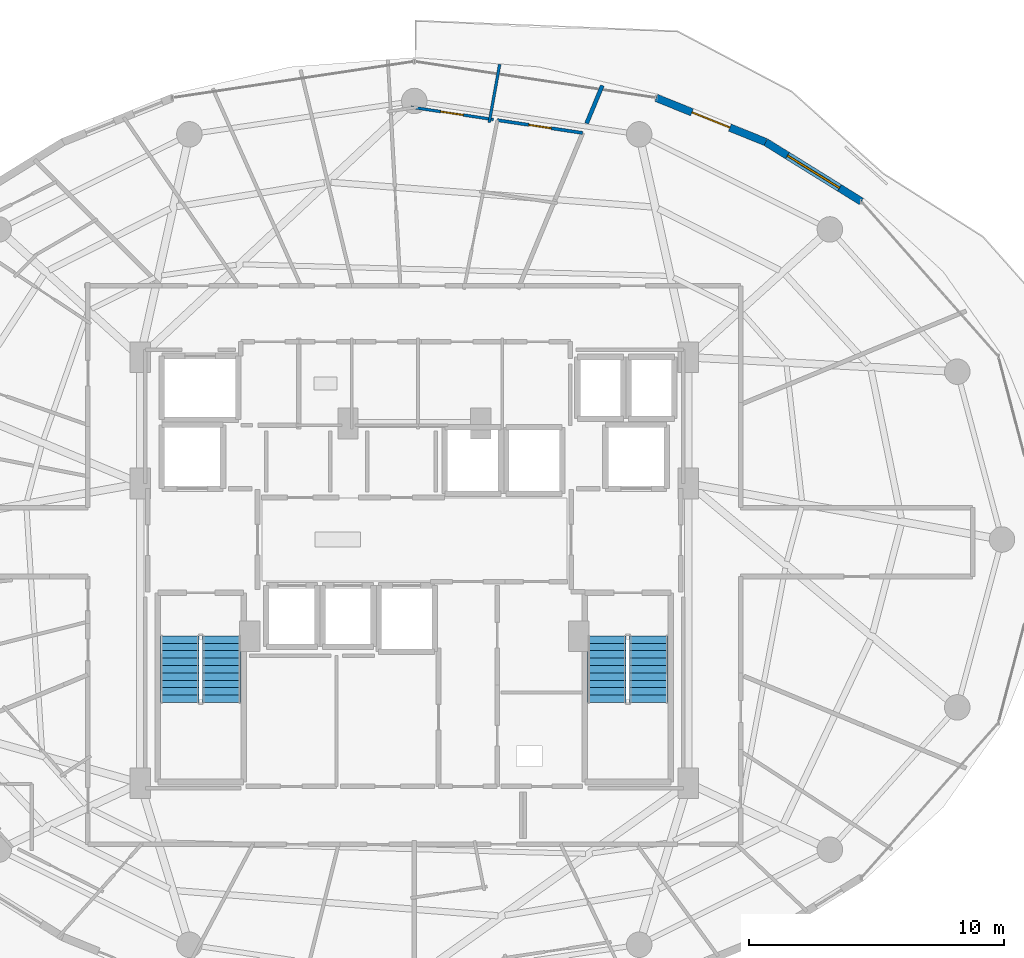
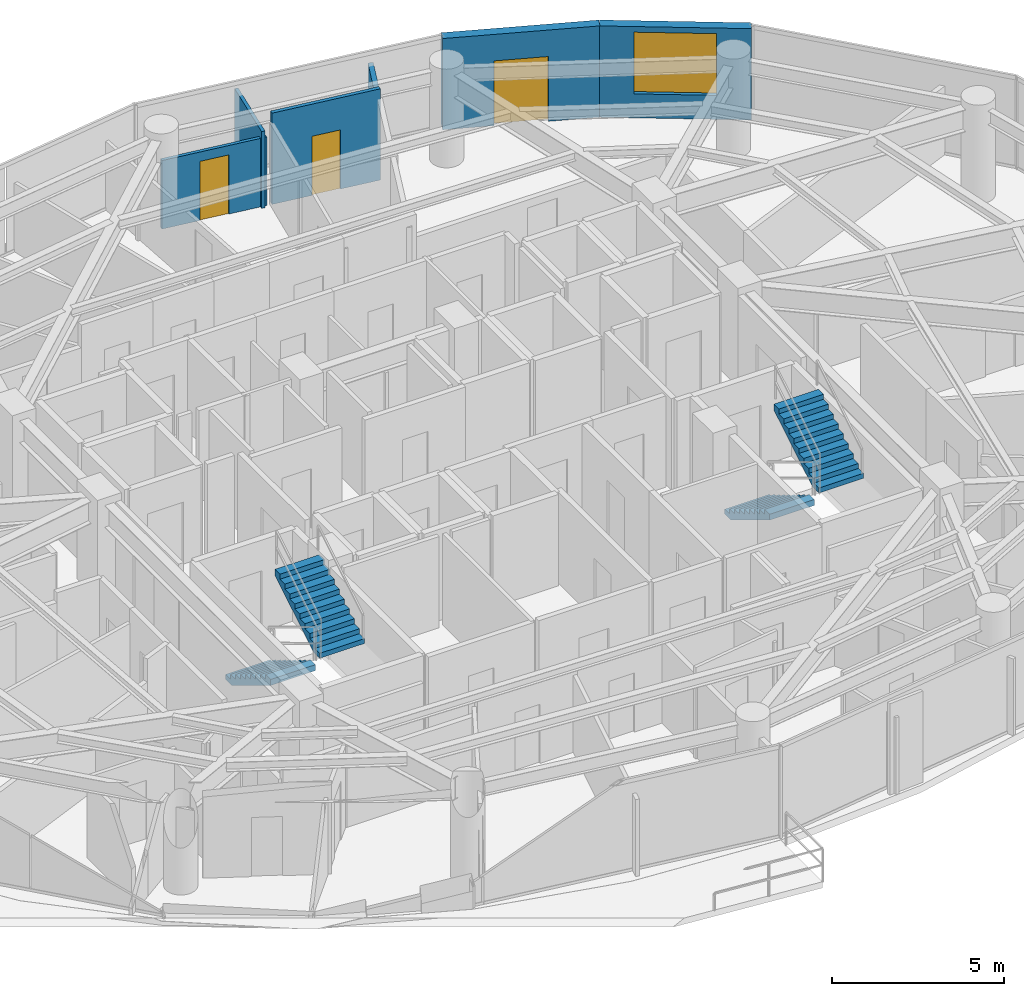
# One storey, part 25 of 28: 6 walls, 4 stair flights, 3 doors, 1 window, 4 openings, 2 elements without a shape of their own.
"""IFC4 building model written with IfcOpenShell, lengths in metres."""

from ifc_helpers import new_model, si_unit, direction, frame, frame_2d, origin, place, context, subcontext, project, spatial, polyline, rectangle, outline, extrude, material, layer, layer_set, type_object, element, fill, aggregate, save


model = new_model("IFC4")

# Units and contexts
model_context = context("Model", 3, precision=1e-05, world=origin(), true_north=direction((0.0, 1.0)))
body_context = subcontext(model_context, "Body", "Model", "MODEL_VIEW")
ifc_project = project(units=[si_unit("LENGTHUNIT", "METRE"), si_unit("AREAUNIT", "SQUARE_METRE"), si_unit("VOLUMEUNIT", "CUBIC_METRE"), si_unit("PLANEANGLEUNIT", "RADIAN"), si_unit("MASSUNIT", "GRAM", prefix="KILO")], contexts=[model_context])

# Site, building, storey
site_placement = place(None, origin())
site = spatial("IfcSite", under=ifc_project, at=site_placement, CompositionType="ELEMENT")
building_placement = place(site_placement, origin())
building = spatial("IfcBuilding", under=site, at=building_placement, Name="Vorneva Point Tower", CompositionType="ELEMENT")
storey_placement = place(building_placement, frame((0.0, 0.0, 160.60009765625)))
storey = spatial("IfcBuildingStorey", under=building, at=storey_placement, Name="L43", CompositionType="ELEMENT", Elevation=160.60009765625)

# Wall, opening, window
ifc_material_1 = material(Name="Precast concrete B50 (C40/50)", Category="concrete")
ifc_layer_1 = layer(ifc_material_1, 0.300048828125)
ifc_layer_set_1 = layer_set([ifc_layer_1], Name="Precast concrete B50 (C40/50)")
wall_type_1 = type_object("IfcWallType", Name="WL-EXT-300", PredefinedType="STANDARD", material=ifc_layer_set_1)
wall_1_placement = place(storey_placement, frame((55.5361328125, 39.25830078125, 0.0), z_axis=(0.0, 0.0, 1.0), x_axis=(-0.849721181976, 0.527232313977, 0.0)))
wall_1 = element("IfcWall", 1, at=wall_1_placement, inside=storey, type_object=wall_type_1, Name="L43 Pale-Metal Facade Spandrel Wall 03.1", PredefinedType="STANDARD", context=body_context, shape_type="SweptSolid", body=[
    extrude(rectangle(XDim=4.422607421875, YDim=0.300048828125, at=frame_2d((2.21142578125, 0.0))), origin(), (0.0, 0.0, 1.0), 3.239990234375),
])
opening_1_placement = place(wall_1_placement, frame((1.011474609375, 0.0, 0.85009765625)))
opening_1 = element("IfcOpeningElement", 2, at=opening_1_placement, cuts=wall_1, Name="Opening W-03", PredefinedType="OPENING", context=body_context, shape_type="SweptSolid", body=[
    extrude(rectangle(XDim=2.39990234375, YDim=2.18994140625, at=frame_2d((1.199951171875, 1.094970703125))), frame((0.0, 0.1650390625, 0.0), z_axis=(0.0, -1.0, 0.0), x_axis=(1.0, 0.0, 0.0)), (0.0, 0.0, 1.0), 0.329833984375),
])
ifc_material_2 = material(Name="Double low-e laminated glass IGU", Category="glass")
window_type = type_object("IfcWindowType", Name="WN-RES-2400", PartitioningType="SINGLE_PANEL", PredefinedType="WINDOW", material=ifc_material_2)
window_placement = place(opening_1_placement, origin())
window = element("IfcWindow", 3, at=window_placement, inside=storey, type_object=window_type, Name="L43 Facade Window 03", OverallHeight=2.18994140625, OverallWidth=2.39990234375, PartitioningType="SINGLE_PANEL", PredefinedType="WINDOW", context=body_context, shape_type="SweptSolid", body=[
    extrude(rectangle(XDim=2.39990234375, YDim=2.18994140625, at=frame_2d((1.199951171875, 1.094970703125))), frame((0.0, 0.030029296875, 0.0), z_axis=(0.0, -1.0, 0.0), x_axis=(1.0, 0.0, 0.0)), (0.0, 0.0, 1.0), 0.06005859375),
])
fill(opening_1, window)

# Wall, opening, door
wall_2_placement = place(storey_placement, frame((51.778076171875, 41.590087890625, 0.0), z_axis=(0.0, 0.0, 1.0), x_axis=(-0.927156504392, 0.374674280359, 0.0)))
wall_2 = element("IfcWall", 4, at=wall_2_placement, inside=storey, type_object=wall_type_1, Name="L43 Pale-Metal Facade Spandrel Wall 03.2", PredefinedType="STANDARD", context=body_context, shape_type="SweptSolid", body=[
    extrude(rectangle(XDim=4.62451171875, YDim=0.300048828125, at=frame_2d((2.312255859375, 0.0))), origin(), (0.0, 0.0, 1.0), 3.239990234375),
])
opening_2_placement = place(wall_2_placement, frame((1.51220703125, 0.0, 0.0)))
opening_2 = element("IfcOpeningElement", 5, at=opening_2_placement, cuts=wall_2, Name="Opening BD-01", PredefinedType="OPENING", context=body_context, shape_type="SweptSolid", body=[
    extrude(rectangle(XDim=1.60009765625, YDim=2.300048828125, at=frame_2d((0.800048828125, 1.14990234375))), frame((0.0, 0.1650390625, 0.0), z_axis=(0.0, -1.0, 0.0), x_axis=(1.0, 0.0, 0.0)), (0.0, 0.0, 1.0), 0.329833984375),
])
ifc_material_3 = material(Name="Pale anodised aluminium", Category="aluminium")
door_type_1 = type_object("IfcDoorType", Name="DR-BAL-1600", OperationType="SLIDING_TO_LEFT", PredefinedType="DOOR", material=ifc_material_3)
door_1_placement = place(opening_2_placement, origin())
door_1 = element("IfcDoor", 6, at=door_1_placement, inside=storey, type_object=door_type_1, Name="L43 Balcony Terrace Access Door 03", OperationType="SLIDING_TO_LEFT", OverallHeight=2.300048828125, OverallWidth=1.60009765625, PredefinedType="DOOR", context=body_context, shape_type="SweptSolid", body=[
    extrude(rectangle(XDim=1.60009765625, YDim=2.300048828125, at=frame_2d((0.800048828125, 1.14990234375))), frame((0.0, 0.02490234375, 0.0), z_axis=(0.0, -1.0, 0.0), x_axis=(1.0, 0.0, 0.0)), (0.0, 0.0, 1.0), 0.050048828125),
])
fill(opening_2, door_1)

# Wall
ifc_material_4 = material(Name="Fire-rated acoustic gypsum stud partition", Category="gypsum")
ifc_layer_2 = layer(ifc_material_4, 0.110107421875)
ifc_layer_set_2 = layer_set([ifc_layer_2], Name="Fire-rated acoustic gypsum stud partition")
wall_type_2 = type_object("IfcWallType", Name="WL-PART-110", PredefinedType="PARTITIONING", material=ifc_layer_set_2)
wall_3_placement = place(storey_placement, frame((41.349853515625, 44.639892578125, 0.0), z_axis=(0.0, 0.0, 1.0), x_axis=(-0.176977699102, -0.984214861715, 0.0)))
element("IfcWall", 7, at=wall_3_placement, inside=storey, type_object=wall_type_2, Name="L43 Interior Partition 071", PredefinedType="PARTITIONING", context=body_context, shape_type="SweptSolid", body=[
    extrude(rectangle(XDim=2.3203125, YDim=0.110107421875, at=frame_2d((1.16015625, 0.0))), origin(), (0.0, 0.0, 1.0), 2.727783203125),
])

# Wall, opening, door
wall_4_placement = place(storey_placement, frame((41.102294921875, 42.47314453125, 0.0), z_axis=(0.0, 0.0, 1.0), x_axis=(-0.98887178047, 0.148770298749, 0.0)))
wall_4 = element("IfcWall", 8, at=wall_4_placement, inside=storey, type_object=wall_type_2, Name="L43 Interior Partition 072", PredefinedType="PARTITIONING", context=body_context, shape_type="SweptSolid", body=[
    extrude(rectangle(XDim=3.277099609375, YDim=0.110107421875, at=frame_2d((1.638671875, 0.0))), origin(), (0.0, 0.0, 1.0), 2.431884765625),
])
opening_3_placement = place(wall_4_placement, frame((1.188720703125, 0.0, 0.0)))
opening_3 = element("IfcOpeningElement", 9, at=opening_3_placement, cuts=wall_4, Name="Opening ID-01", PredefinedType="OPENING", context=body_context, shape_type="SweptSolid", body=[
    extrude(rectangle(XDim=0.89990234375, YDim=2.10009765625, at=frame_2d((0.449951171875, 1.050048828125))), frame((0.0, 0.06982421875, 0.0), z_axis=(0.0, -1.0, 0.0), x_axis=(1.0, 0.0, 0.0)), (0.0, 0.0, 1.0), 0.139892578125),
])
ifc_material_5 = material(Name="Engineered oak fire-rated door leaf", Category="wood")
door_type_2 = type_object("IfcDoorType", Name="DR-ROOM-900", OperationType="NOTDEFINED", PredefinedType="DOOR", material=ifc_material_5)
door_2_placement = place(opening_3_placement, origin())
door_2 = element("IfcDoor", 10, at=door_2_placement, inside=storey, type_object=door_type_2, Name="L43 Door Living and Dining Room L43-01 / Kitchen L43-01", OperationType="SINGLE_SWING_LEFT", OverallHeight=2.10009765625, OverallWidth=0.89990234375, PredefinedType="DOOR", context=body_context, shape_type="SweptSolid", body=[
    extrude(rectangle(XDim=0.89990234375, YDim=2.10009765625, at=frame_2d((0.449951171875, 1.050048828125))), frame((0.0, 0.02490234375, 0.0), z_axis=(0.0, -1.0, 0.0), x_axis=(1.0, 0.0, 0.0)), (0.0, 0.0, 1.0), 0.050048828125),
])
fill(opening_3, door_2)

ifc_layer_3 = layer(ifc_material_4, 0.125)
ifc_layer_set_3 = layer_set([ifc_layer_3], Name="Fire-rated acoustic gypsum stud partition")
wall_type_3 = type_object("IfcWallType", Name="WL-PART-125", PredefinedType="PARTITIONING", material=ifc_layer_set_3)
wall_5_placement = place(storey_placement, frame((41.260986328125, 42.448974609375, 0.0), z_axis=(0.0, 0.0, 1.0), x_axis=(0.988878555922, -0.148725255545, 0.0)))
wall_5 = element("IfcWall", 11, at=wall_5_placement, inside=storey, type_object=wall_type_3, Name="L43 Interior Partition 074", PredefinedType="PARTITIONING", context=body_context, shape_type="SweptSolid", body=[
    extrude(rectangle(XDim=3.381591796875, YDim=0.125, at=frame_2d((1.69091796875, 0.0))), origin(), (0.0, 0.0, 1.0), 3.239990234375),
])
opening_4_placement = place(wall_5_placement, frame((1.24072265625, 0.0, 0.0)))
opening_4 = element("IfcOpeningElement", 12, at=opening_4_placement, cuts=wall_5, Name="Opening ID-01", PredefinedType="OPENING", context=body_context, shape_type="SweptSolid", body=[
    extrude(rectangle(XDim=0.89990234375, YDim=2.10009765625, at=frame_2d((0.449951171875, 1.050048828125))), frame((0.0, 0.077392578125, 0.0), z_axis=(0.0, -1.0, 0.0), x_axis=(1.0, 0.0, 0.0)), (0.0, 0.0, 1.0), 0.15478515625),
])
door_3_placement = place(opening_4_placement, origin())
door_3 = element("IfcDoor", 13, at=door_3_placement, inside=storey, type_object=door_type_2, Name="L43 Door Living and Dining Room L43-01 / Study Room L43-01", OperationType="SINGLE_SWING_LEFT", OverallHeight=2.10009765625, OverallWidth=0.89990234375, PredefinedType="DOOR", context=body_context, shape_type="SweptSolid", body=[
    extrude(rectangle(XDim=0.89990234375, YDim=2.10009765625, at=frame_2d((0.449951171875, 1.050048828125))), frame((0.0, 0.02490234375, 0.0), z_axis=(0.0, -1.0, 0.0), x_axis=(1.0, 0.0, 0.0)), (0.0, 0.0, 1.0), 0.050048828125),
])
fill(opening_4, door_3)

# Wall
ifc_layer_4 = layer(ifc_material_4, 0.159912109375)
ifc_layer_set_4 = layer_set([ifc_layer_4], Name="Fire-rated acoustic gypsum stud partition")
wall_type_4 = type_object("IfcWallType", Name="WL-PART-160", PredefinedType="PARTITIONING", material=ifc_layer_set_4)
wall_6_placement = place(storey_placement, frame((44.760009765625, 42.321044921875, 0.0), z_axis=(0.0, 0.0, 1.0), x_axis=(0.382955001099, 0.923766998292, 0.0)))
element("IfcWall", 14, at=wall_6_placement, inside=storey, type_object=wall_type_4, Name="L43 Interior Partition 077", PredefinedType="PARTITIONING", context=body_context, shape_type="SweptSolid", body=[
    extrude(rectangle(XDim=1.6083984375, YDim=0.159912109375, at=frame_2d((0.80419921875, 0.0))), origin(), (0.0, 0.0, 1.0), 2.727783203125),
])

# Stair, stair flights
ifc_material_6 = material(Name="Concrete B50 (C40/50)", Category="concrete")
stair_type = type_object("IfcStairType", Name="ST-DOG-1500", PredefinedType="HALF_TURN_STAIR", material=ifc_material_6)
stair_1_placement = place(storey_placement, origin())
stair_1 = element("IfcStair", 15, at=stair_1_placement, inside=storey, type_object=stair_type, Name="L43 ST1", PredefinedType="HALF_TURN_STAIR")
stair_flight_type = type_object("IfcStairFlightType", Name="STF-1500", PredefinedType="STRAIGHT", material=ifc_material_6)
stair_flight_1_placement = place(storey_placement, frame((28.800048828125, 22.219970703125, 0.0), z_axis=(0.0, 0.0, 1.0), x_axis=(0.0, -1.0, 0.0)))
stair_flight_1 = element("IfcStairFlight", 16, at=stair_flight_1_placement, type_object=stair_flight_type, Name="ST1 flight 1", NumberOfRisers=10, NumberOfTreads=9, PredefinedType="STRAIGHT", RiserHeight=0.175, TreadLength=0.29, context=body_context, shape_type="SweptSolid", body=[
    extrude(outline(polyline([(0.0, 0.0), (0.0, 0.175048828125), (0.2900390625, 0.175048828125), (0.2900390625, 0.35009765625), (0.580078125, 0.35009765625), (0.580078125, 0.52490234375), (0.8701171875, 0.52490234375), (0.8701171875, 0.699951171875), (1.159912109375, 0.699951171875), (1.159912109375, 0.875), (1.449951171875, 0.875), (1.449951171875, 1.050048828125), (1.739990234375, 1.050048828125), (1.739990234375, 1.22509765625), (2.030029296875, 1.22509765625), (2.030029296875, 1.39990234375), (2.320068359375, 1.39990234375), (2.320068359375, 1.574951171875), (2.610107421875, 1.574951171875), (2.610107421875, 1.75), (2.610107421875, 1.36474609375), (0.34814453125, 0.0), (0.0, 0.0)])), frame((0.0, 0.75, 0.0), z_axis=(0.0, -1.0, 0.0), x_axis=(1.0, 0.0, 0.0)), (0.0, 0.0, 1.0), 1.5),
])
stair_flight_2_placement = place(storey_placement, frame((30.449951171875, 19.610107421875, 1.75), z_axis=(0.0, 0.0, 1.0), x_axis=(0.0, 1.0, 0.0)))
stair_flight_2 = element("IfcStairFlight", 17, at=stair_flight_2_placement, type_object=stair_flight_type, Name="ST1 flight 2", NumberOfRisers=10, NumberOfTreads=9, PredefinedType="STRAIGHT", RiserHeight=0.175, TreadLength=0.29, context=body_context, shape_type="SweptSolid", body=[
    extrude(outline(polyline([(0.0, 0.0), (0.0, 0.175048828125), (0.2900390625, 0.175048828125), (0.2900390625, 0.35009765625), (0.580078125, 0.35009765625), (0.580078125, 0.52490234375), (0.8701171875, 0.52490234375), (0.8701171875, 0.699951171875), (1.159912109375, 0.699951171875), (1.159912109375, 0.875), (1.449951171875, 0.875), (1.449951171875, 1.050048828125), (1.739990234375, 1.050048828125), (1.739990234375, 1.22509765625), (2.030029296875, 1.22509765625), (2.030029296875, 1.39990234375), (2.320068359375, 1.39990234375), (2.320068359375, 1.574951171875), (2.610107421875, 1.574951171875), (2.610107421875, 1.75), (2.610107421875, 1.36474609375), (0.34814453125, 0.0), (0.0, 0.0)])), frame((0.0, 0.75, 0.0), z_axis=(0.0, -1.0, 0.0), x_axis=(1.0, 0.0, 0.0)), (0.0, 0.0, 1.0), 1.5),
])
aggregate(stair_1, [stair_flight_1, stair_flight_2])

stair_2_placement = place(storey_placement, origin())
stair_2 = element("IfcStair", 18, at=stair_2_placement, inside=storey, type_object=stair_type, Name="L43 ST2", PredefinedType="HALF_TURN_STAIR")
stair_flight_3_placement = place(storey_placement, frame((45.550048828125, 22.219970703125, 0.0), z_axis=(0.0, 0.0, 1.0), x_axis=(0.0, -1.0, 0.0)))
stair_flight_3 = element("IfcStairFlight", 19, at=stair_flight_3_placement, type_object=stair_flight_type, Name="ST2 flight 1", NumberOfRisers=10, NumberOfTreads=9, PredefinedType="STRAIGHT", RiserHeight=0.175, TreadLength=0.29, context=body_context, shape_type="SweptSolid", body=[
    extrude(outline(polyline([(0.0, 0.0), (0.0, 0.175048828125), (0.2900390625, 0.175048828125), (0.2900390625, 0.35009765625), (0.580078125, 0.35009765625), (0.580078125, 0.52490234375), (0.8701171875, 0.52490234375), (0.8701171875, 0.699951171875), (1.159912109375, 0.699951171875), (1.159912109375, 0.875), (1.449951171875, 0.875), (1.449951171875, 1.050048828125), (1.739990234375, 1.050048828125), (1.739990234375, 1.22509765625), (2.030029296875, 1.22509765625), (2.030029296875, 1.39990234375), (2.320068359375, 1.39990234375), (2.320068359375, 1.574951171875), (2.610107421875, 1.574951171875), (2.610107421875, 1.75), (2.610107421875, 1.36474609375), (0.34814453125, 0.0), (0.0, 0.0)])), frame((0.0, 0.75, 0.0), z_axis=(0.0, -1.0, 0.0), x_axis=(1.0, 0.0, 0.0)), (0.0, 0.0, 1.0), 1.5),
])
stair_flight_4_placement = place(storey_placement, frame((47.199951171875, 19.610107421875, 1.75), z_axis=(0.0, 0.0, 1.0), x_axis=(0.0, 1.0, 0.0)))
stair_flight_4 = element("IfcStairFlight", 20, at=stair_flight_4_placement, type_object=stair_flight_type, Name="ST2 flight 2", NumberOfRisers=10, NumberOfTreads=9, PredefinedType="STRAIGHT", RiserHeight=0.175, TreadLength=0.29, context=body_context, shape_type="SweptSolid", body=[
    extrude(outline(polyline([(0.0, 0.0), (0.0, 0.175048828125), (0.2900390625, 0.175048828125), (0.2900390625, 0.35009765625), (0.580078125, 0.35009765625), (0.580078125, 0.52490234375), (0.8701171875, 0.52490234375), (0.8701171875, 0.699951171875), (1.159912109375, 0.699951171875), (1.159912109375, 0.875), (1.449951171875, 0.875), (1.449951171875, 1.050048828125), (1.739990234375, 1.050048828125), (1.739990234375, 1.22509765625), (2.030029296875, 1.22509765625), (2.030029296875, 1.39990234375), (2.320068359375, 1.39990234375), (2.320068359375, 1.574951171875), (2.610107421875, 1.574951171875), (2.610107421875, 1.75), (2.610107421875, 1.36474609375), (0.34814453125, 0.0), (0.0, 0.0)])), frame((0.0, 0.75, 0.0), z_axis=(0.0, -1.0, 0.0), x_axis=(1.0, 0.0, 0.0)), (0.0, 0.0, 1.0), 1.5),
])
aggregate(stair_2, [stair_flight_3, stair_flight_4])

save(model, "model.ifc")
